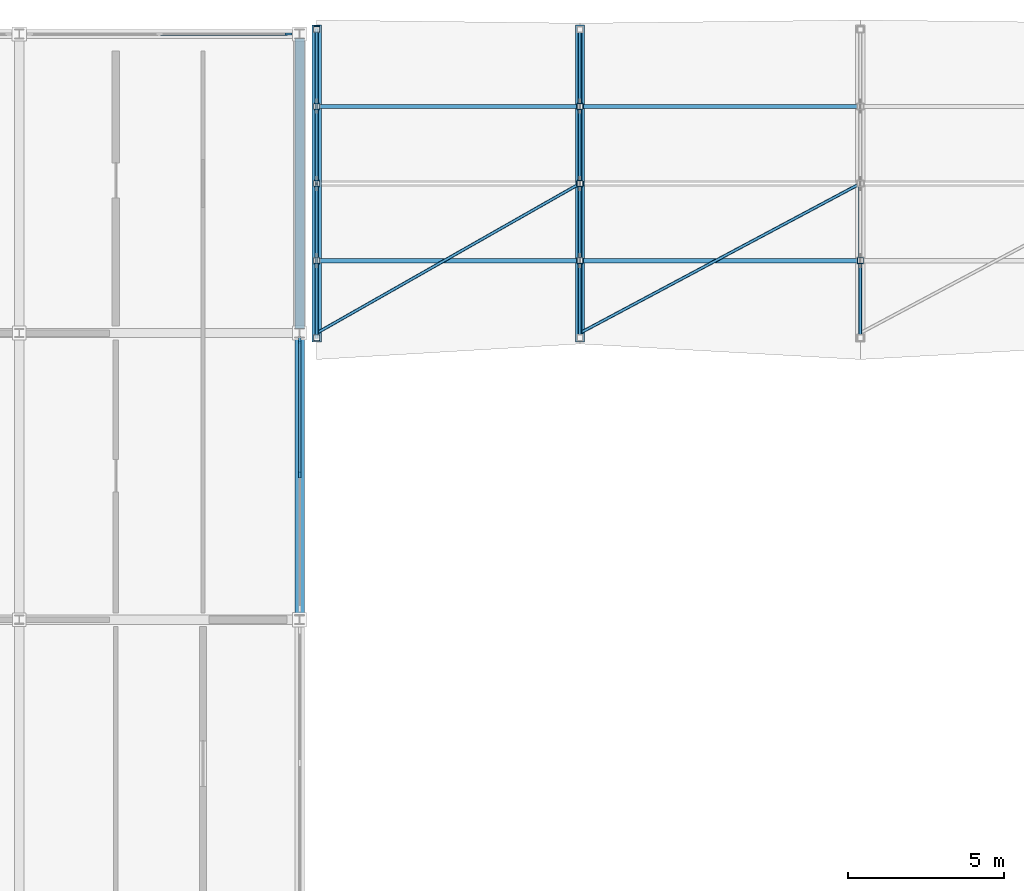
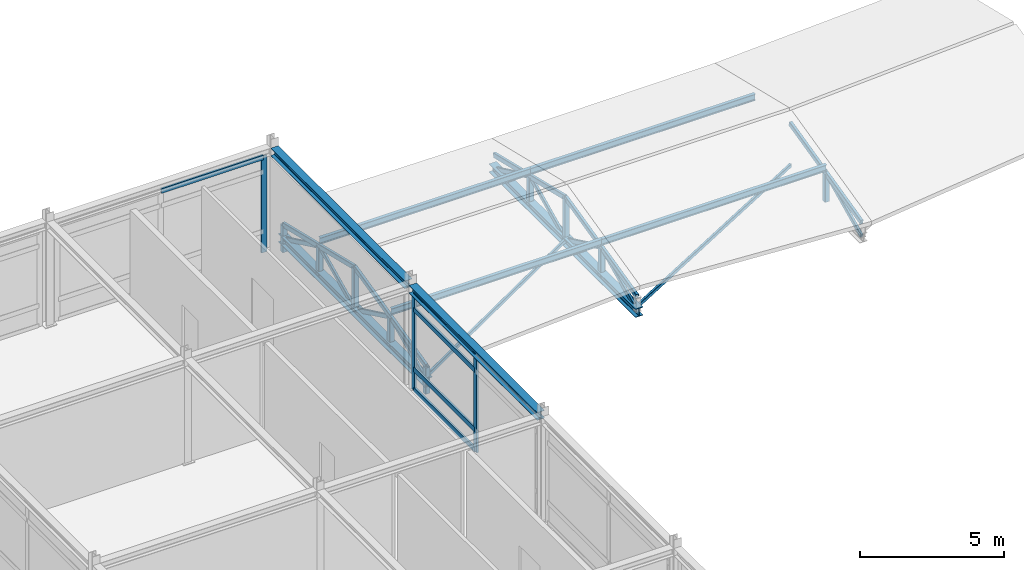
# One storey, part 31 of 90: 37 members, 4 beams, 2 elements without a shape of their own.
"""IFC4 building model written with IfcOpenShell, lengths in metres."""

import ifcopenshell
import ifcopenshell.guid

model = None  # the IFC model being written
_history = None  # IfcOwnerHistory: only IFC2X3 demands one
_inside = {}  # id of a spatial element -> (the spatial element, [elements in it])
_under = {}  # id of a project, library or spatial element -> (it, [spatial elements below it])
_declared = {}  # id of a project -> (the project, [libraries it declares])
_typed = {}  # id of a type object -> (the type object, [elements of that type])
_made_of = {}  # id of a material, layer set ... -> (it, [elements and type objects made of it])


def new_model(schema):
    """Start an empty IFC model of exactly this schema.

    Asked for "IFC4X3", IfcOpenShell would pick the latest addendum, in which some entities
    have other attributes; the version numbers below select the first issue.
    IFC2X3 requires an IfcOwnerHistory on every rooted entity: one is made here for all.
    """
    global model, _history
    if schema == "IFC4X3":
        model = ifcopenshell.file(schema_version=(4, 3, 0, 0))
    else:
        model = ifcopenshell.file(schema=schema)
    _inside.clear()
    _under.clear()
    _declared.clear()
    _typed.clear()
    _made_of.clear()
    _history = None
    if model.schema == "IFC2X3":
        org = make("IfcOrganization", Name="unknown")
        user = make(
            "IfcPersonAndOrganization",
            ThePerson=make("IfcPerson", FamilyName="unknown"),
            TheOrganization=org,
        )
        app = make(
            "IfcApplication",
            ApplicationDeveloper=org,
            Version="unknown",
            ApplicationFullName="unknown",
            ApplicationIdentifier="unknown",
        )
        _history = make(
            "IfcOwnerHistory",
            OwningUser=user,
            OwningApplication=app,
            ChangeAction="ADDED",
            CreationDate=0,
        )
    return model


def make(cls, **values):
    """One entity of the class cls with the attributes given. An attribute that is None is left unset."""
    return model.create_entity(
        cls, **{name: value for name, value in values.items() if value is not None}
    )


def rooted(cls, **values):
    """An entity with a GlobalId (a new one), such as an element, a storey or a relation."""
    return make(cls, GlobalId=ifcopenshell.guid.new(), OwnerHistory=_history, **values)


def si_unit(unit_type, name, prefix=None):
    """IfcSIUnit, for example si_unit("LENGTHUNIT", "METRE", prefix="MILLI")."""
    return make("IfcSIUnit", UnitType=unit_type, Prefix=prefix, Name=name)


def assignment(units):
    """IfcUnitAssignment: the units of a project."""
    return None if units is None else make("IfcUnitAssignment", Units=units)


def point(xyz):
    """IfcCartesianPoint."""
    return None if xyz is None else make("IfcCartesianPoint", Coordinates=xyz)


def direction(xyz):
    """IfcDirection."""
    return None if xyz is None else make("IfcDirection", DirectionRatios=xyz)


def frame(location, z_axis=None, x_axis=None):
    """IfcAxis2Placement3D, a coordinate frame: its origin and axes. An axis left out is left unset."""
    return make(
        "IfcAxis2Placement3D",
        Location=point(location),
        Axis=direction(z_axis),
        RefDirection=direction(x_axis),
    )


def frame_2d(location, x_axis=None):
    """IfcAxis2Placement2D, a coordinate frame in the plane: its origin and x axis."""
    return make(
        "IfcAxis2Placement2D", Location=point(location), RefDirection=direction(x_axis)
    )


def origin():
    """The frame at (0, 0, 0) with its axes left unset."""
    return frame((0.0, 0.0, 0.0))


def origin_2d():
    """The frame at (0, 0) in the plane with its x axis left unset."""
    return frame_2d((0.0, 0.0))


def place(relative_to, where):
    """IfcLocalPlacement: puts the frame where relative to a parent placement (None: the world)."""
    return make(
        "IfcLocalPlacement", PlacementRelTo=relative_to, RelativePlacement=where
    )


def context(
    kind, dimensions, precision=None, world=None, true_north=None, identifier=None
):
    """IfcGeometricRepresentationContext, for example the 3D "Model" context."""
    return make(
        "IfcGeometricRepresentationContext",
        ContextIdentifier=identifier,
        ContextType=kind,
        CoordinateSpaceDimension=dimensions,
        Precision=precision,
        WorldCoordinateSystem=world,
        TrueNorth=true_north,
    )


def subcontext(parent, identifier, kind, view, scale=None):
    """IfcGeometricRepresentationSubContext, for example "Body" below "Model"."""
    return make(
        "IfcGeometricRepresentationSubContext",
        ContextIdentifier=identifier,
        ContextType=kind,
        ParentContext=parent,
        TargetScale=scale,
        TargetView=view,
    )


def project(units=None, contexts=None):
    """IfcProject with its units and contexts."""
    return rooted(
        "IfcProject",
        Name="project",
        RepresentationContexts=contexts,
        UnitsInContext=assignment(units),
    )


def spatial(cls, under=None, at=None, **own):
    """A site, building, storey or space (cls), placed at a placement, below another one or the project."""
    s = rooted(cls, ObjectPlacement=at, **own)
    if under is not None:
        _under.setdefault(under.id(), (under, []))[1].append(s)
    return s


def profile(cls, at=None, kind="AREA", **sizes):
    """A parametric profile (cls). Its sizes go by their IFC names, for example OverallWidth=200.0."""
    return make(cls, ProfileType=kind, Position=at, **sizes)


def rectangle(**sizes):
    """IfcRectangleProfileDef."""
    return profile("IfcRectangleProfileDef", **sizes)


def hollow_rectangle(**sizes):
    """IfcRectangleHollowProfileDef."""
    return profile("IfcRectangleHollowProfileDef", **sizes)


def i_section(**sizes):
    """IfcIShapeProfileDef."""
    return profile("IfcIShapeProfileDef", **sizes)


def extrude(swept, where, along, depth):
    """IfcExtrudedAreaSolid: the profile swept, set in the frame where, extruded along a direction by depth."""
    return make(
        "IfcExtrudedAreaSolid",
        SweptArea=swept,
        Position=where,
        ExtrudedDirection=direction(along),
        Depth=depth,
    )


def shape(context_of_items, identifier, shape_type, items):
    """IfcShapeRepresentation: the items that make up one representation, for example the "Body"."""
    return make(
        "IfcShapeRepresentation",
        ContextOfItems=context_of_items,
        RepresentationIdentifier=identifier,
        RepresentationType=shape_type,
        Items=items,
    )


def material(Name=None, Category=None):
    """IfcMaterial."""
    return make("IfcMaterial", Name=Name, Category=Category)


def material_profile(
    of_material, cross_section, Name=None, Category=None, Priority=None
):
    """IfcMaterialProfile: a cross section and its material."""
    return make(
        "IfcMaterialProfile",
        Name=Name,
        Material=of_material,
        Profile=cross_section,
        Priority=Priority,
        Category=Category,
    )


def profile_set(profiles, Name=None, composite=None):
    """IfcMaterialProfileSet."""
    return make(
        "IfcMaterialProfileSet",
        Name=Name,
        MaterialProfiles=profiles,
        CompositeProfile=composite,
    )


def made_of(thing, what):
    """Note that an element or type object is made of a material, layer set ...; save() writes the relation."""
    if what is not None:
        _made_of.setdefault(what.id(), (what, []))[1].append(thing)
    return thing


def type_object(cls, material=None, **own):
    """A type object (cls), such as IfcWallType, which elements share."""
    return made_of(rooted(cls, **own), material)


def element(
    cls,
    number,
    at=None,
    inside=None,
    cuts=None,
    type_object=None,
    material=None,
    context=None,
    identifier="Body",
    shape_type=None,
    held_by="IfcProductDefinitionShape",
    body=None,
    shapes=None,
    **own,
):
    """One element of the class cls, such as IfcWall. Its Tag is "e" and its number.

    at: its placement. inside: the storey or other place that contains it. cuts: it is an
    opening in that element (IfcRelVoidsElement). A single representation is given by context,
    identifier, shape_type and body (its items); several are given by shapes. held_by: the class
    of the entity that holds the representations. save() writes the other relations.
    """
    e = rooted(cls, Tag="e%d" % number, ObjectPlacement=at, **own)
    if body is not None:
        shapes = [shape(context, identifier, shape_type, body)]
    if shapes is not None:
        e.Representation = make(held_by, Representations=shapes)
    if inside is not None:
        _inside.setdefault(inside.id(), (inside, []))[1].append(e)
    if cuts is not None:
        rooted(
            "IfcRelVoidsElement", RelatingBuildingElement=cuts, RelatedOpeningElement=e
        )
    if type_object is not None:
        _typed.setdefault(type_object.id(), (type_object, []))[1].append(e)
    return made_of(e, material)


def aggregate(whole, parts):
    """IfcRelAggregates: a whole, such as a stair, and the parts it consists of."""
    return rooted("IfcRelAggregates", RelatingObject=whole, RelatedObjects=parts)


def save(model, path):
    """Write the relations noted so far, then the file.

    IfcRelAggregates (storeys below a building ...), IfcRelContainedInSpatialStructure (elements
    in a storey), IfcRelDefinesByType, IfcRelAssociatesMaterial and IfcRelDeclares: one each for
    every whole, place, type object, material and project.
    """
    for whole, parts in _under.values():
        aggregate(whole, parts)
    for where, things in _inside.values():
        rooted(
            "IfcRelContainedInSpatialStructure",
            RelatedElements=things,
            RelatingStructure=where,
        )
    for kind, things in _typed.values():
        rooted("IfcRelDefinesByType", RelatedObjects=things, RelatingType=kind)
    for what, things in _made_of.values():
        rooted("IfcRelAssociatesMaterial", RelatedObjects=things, RelatingMaterial=what)
    for by, libraries in _declared.values():
        rooted("IfcRelDeclares", RelatingContext=by, RelatedDefinitions=libraries)
    model.write(path)


model = new_model("IFC4")

# Units and contexts
model_context = context("Model", 3, precision=1e-05, world=origin(), true_north=direction((0.0, 1.0)))
body_context = subcontext(model_context, "Body", "Model", "MODEL_VIEW")
ifc_project = project(units=[si_unit("LENGTHUNIT", "METRE"), si_unit("AREAUNIT", "SQUARE_METRE"), si_unit("VOLUMEUNIT", "CUBIC_METRE"), si_unit("PLANEANGLEUNIT", "RADIAN"), si_unit("MASSUNIT", "GRAM", prefix="KILO")], contexts=[model_context])

# Site, building, storey
site_placement = place(None, origin())
site = spatial("IfcSite", under=ifc_project, at=site_placement, CompositionType="ELEMENT")
building_placement = place(site_placement, origin())
building = spatial("IfcBuilding", under=site, at=building_placement, Name="Bozkorgan Art Gallery", CompositionType="ELEMENT")
storey_placement = place(building_placement, frame((0.0, 0.0, 5.39990234375)))
storey = spatial("IfcBuildingStorey", under=building, at=storey_placement, Name="L01", CompositionType="ELEMENT", Elevation=5.39990234375)

# Beams
ifc_material_1 = material(Name="Steel S355J2", Category="steel")
ifc_material_profile_1 = material_profile(ifc_material_1, i_section(OverallWidth=0.300048828125, OverallDepth=0.330078125, WebThickness=0.009521484375, FlangeThickness=0.0166015625, FilletRadius=0.027099609375, at=origin_2d()), Name="HEA 340")
ifc_profile_set_1 = profile_set([ifc_material_profile_1], Name="Steel S355J2")
beam_type_1 = type_object("IfcBeamType", Name="BEAM-BM-37", PredefinedType="BEAM", material=ifc_profile_set_1)
beam_1_placement = place(storey_placement, frame((20.0, 93.75, 4.275146484375), z_axis=(0.0, 1.0, 0.0), x_axis=(-1.0, 0.0, 0.0)))
element("IfcBeam", 1, at=beam_1_placement, inside=storey, type_object=beam_type_1, Name="V2 L01 beam Y (20, 93.6-102.8)", PredefinedType="BEAM", context=body_context, shape_type="SweptSolid", body=[
    extrude(i_section(OverallWidth=0.300048828125, OverallDepth=0.330078125, WebThickness=0.009521484375, FlangeThickness=0.0166015625, FilletRadius=0.027099609375, at=origin_2d()), origin(), (0.0, 0.0, 1.0), 8.89990234375),
])
beam_2_placement = place(storey_placement, frame((20.0, 102.949951171875, 4.275146484375), z_axis=(0.0, 1.0, 0.0), x_axis=(-1.0, 0.0, 0.0)))
element("IfcBeam", 2, at=beam_2_placement, inside=storey, type_object=beam_type_1, Name="V2 L01 beam Y (20, 102.8-112.4)", PredefinedType="BEAM", context=body_context, shape_type="SweptSolid", body=[
    extrude(i_section(OverallWidth=0.300048828125, OverallDepth=0.330078125, WebThickness=0.009521484375, FlangeThickness=0.0166015625, FilletRadius=0.027099609375, at=origin_2d()), origin(), (0.0, 0.0, 1.0), 9.300048828125),
])
ifc_material_profile_2 = material_profile(ifc_material_1, i_section(OverallWidth=0.300048828125, OverallDepth=0.360107421875, WebThickness=0.012451171875, FlangeThickness=0.0224609375, FilletRadius=0.027099609375, at=origin_2d()), Name="HEB 360")
ifc_profile_set_2 = profile_set([ifc_material_profile_2], Name="Steel S355J2")
beam_type_2 = type_object("IfcBeamType", Name="BEAM-TB-47", PredefinedType="BEAM", material=ifc_profile_set_2)
for number, where, z_axis, x_axis, name in (
    (3, (20.550048828125, 102.510009765625, 0.18017578125), (0.0, 1.0, 0.0), (-1.0, 0.0, 0.0), "ROOF-V2-NORTH roof truss 1 bottom chord"),
    (4, (29.0, 102.510009765625, 0.18017578125), (0.0, 1.0, 0.0), (-1.0, 0.0, 0.0), "ROOF-V2-NORTH roof truss 2 bottom chord"),
):
    element("IfcBeam", number, at=place(storey_placement, frame(where, z_axis=z_axis, x_axis=x_axis)), inside=storey, type_object=beam_type_2, Name=name, PredefinedType="BEAM", context=body_context, shape_type="SweptSolid", body=[
        extrude(i_section(OverallWidth=0.300048828125, OverallDepth=0.360107421875, WebThickness=0.012451171875, FlangeThickness=0.0224609375, FilletRadius=0.027099609375, at=origin_2d()), origin(), (0.0, 0.0, 1.0), 10.179931640625),
    ])

# Curtain wall, member
ifc_material_2 = material(Name="Anodised Bronze Aluminium", Category="aluminium")
curtain_wall_type_1 = type_object("IfcCurtainWallType", Name="CW-CW-74", PredefinedType="NOTDEFINED", material=ifc_material_2)
curtain_wall_1_placement = place(storey_placement, origin())
curtain_wall_1 = element("IfcCurtainWall", 5, at=curtain_wall_1_placement, inside=storey, type_object=curtain_wall_type_1, Name="L01 unitised curtain wall CW-V2-L01-1N-04", PredefinedType="NOTDEFINED")
ifc_material_profile_3 = material_profile(ifc_material_2, rectangle(XDim=0.074951171875, YDim=0.219970703125, at=origin_2d()), Name="ALU MULLION 75x220")
ifc_profile_set_3 = profile_set([ifc_material_profile_3], Name="Anodised Bronze Aluminium")
member_type_1 = type_object("IfcMemberType", Name="CWM-02", PredefinedType="MULLION", material=ifc_profile_set_3)
member_1_placement = place(storey_placement, frame((19.6474609375, 112.39990234375, 0.02001953125), z_axis=(0.0, 0.0, 1.0), x_axis=(0.0, 1.0, 0.0)))
member_1 = element("IfcMember", 6, at=member_1_placement, type_object=member_type_1, Name="CW-74 mullion 3", PredefinedType="MULLION", context=body_context, shape_type="SweptSolid", body=[
    extrude(rectangle(XDim=0.074951171875, YDim=0.219970703125, at=origin_2d()), origin(), (0.0, 0.0, 1.0), 4.0751953125),
])

# Curtain wall, members
curtain_wall_type_2 = type_object("IfcCurtainWallType", Name="CW-CW-36", PredefinedType="NOTDEFINED", material=ifc_material_2)
curtain_wall_2_placement = place(storey_placement, origin())
curtain_wall_2 = element("IfcCurtainWall", 7, at=curtain_wall_2_placement, inside=storey, type_object=curtain_wall_type_2, Name="L01 unitised curtain wall CW-V2-L01-1E-14", PredefinedType="NOTDEFINED")
member_2_placement = place(storey_placement, frame((20.0, 98.264892578125, 0.02001953125), z_axis=(0.0, 0.0, 1.0), x_axis=(-1.0, 0.0, 0.0)))
member_2 = element("IfcMember", 8, at=member_2_placement, type_object=member_type_1, Name="CW-36 mullion 2", PredefinedType="MULLION", context=body_context, shape_type="SweptSolid", body=[
    extrude(rectangle(XDim=0.074951171875, YDim=0.219970703125, at=origin_2d()), origin(), (0.0, 0.0, 1.0), 4.0751953125),
])
member_3_placement = place(storey_placement, frame((20.0, 102.577392578125, 0.02001953125), z_axis=(0.0, 0.0, 1.0), x_axis=(-1.0, 0.0, 0.0)))
member_3 = element("IfcMember", 9, at=member_3_placement, type_object=member_type_1, Name="CW-36 mullion 3", PredefinedType="MULLION", context=body_context, shape_type="SweptSolid", body=[
    extrude(rectangle(XDim=0.074951171875, YDim=0.219970703125, at=origin_2d()), origin(), (0.0, 0.0, 1.0), 4.0751953125),
])

# Member
ifc_material_profile_4 = material_profile(ifc_material_2, rectangle(XDim=0.080078125, YDim=0.199951171875, at=origin_2d()), Name="ALU TRANSOM 80x200")
ifc_profile_set_4 = profile_set([ifc_material_profile_4], Name="Anodised Bronze Aluminium")
member_type_2 = type_object("IfcMemberType", Name="CWT-03", PredefinedType="USERDEFINED", material=ifc_profile_set_4)
member_4_placement = place(storey_placement, frame((15.53759765625, 112.39990234375, 4.05517578125), z_axis=(1.0, 0.0, 0.0), x_axis=(0.0, 1.0, 0.0)))
member_4 = element("IfcMember", 10, at=member_4_placement, type_object=member_type_2, Name="CW-74 transom 2.4", ObjectType="TRANSOM", PredefinedType="USERDEFINED", context=body_context, shape_type="SweptSolid", body=[
    extrude(rectangle(XDim=0.080078125, YDim=0.199951171875, at=origin_2d()), origin(), (0.0, 0.0, 1.0), 4.072509765625),
])

aggregate(curtain_wall_1, [member_1, member_4])

member_5_placement = place(storey_placement, frame((20.0, 98.302490234375, 0.06005859375), z_axis=(0.0, 1.0, 0.0), x_axis=(-1.0, 0.0, 0.0)))
member_5 = element("IfcMember", 11, at=member_5_placement, type_object=member_type_2, Name="CW-36 transom 2.1", ObjectType="TRANSOM", PredefinedType="USERDEFINED", context=body_context, shape_type="SweptSolid", body=[
    extrude(rectangle(XDim=0.080078125, YDim=0.199951171875, at=origin_2d()), origin(), (0.0, 0.0, 1.0), 4.237548828125),
])

member_6_placement = place(storey_placement, frame((20.0, 98.302490234375, 0.920166015625), z_axis=(0.0, 1.0, 0.0), x_axis=(-1.0, 0.0, 0.0)))
member_6 = element("IfcMember", 12, at=member_6_placement, type_object=member_type_2, Name="CW-36 transom 2.2", ObjectType="TRANSOM", PredefinedType="USERDEFINED", context=body_context, shape_type="SweptSolid", body=[
    extrude(rectangle(XDim=0.080078125, YDim=0.199951171875, at=origin_2d()), origin(), (0.0, 0.0, 1.0), 4.237548828125),
])

member_7_placement = place(storey_placement, frame((20.0, 98.302490234375, 3.445068359375), z_axis=(0.0, 1.0, 0.0), x_axis=(-1.0, 0.0, 0.0)))
member_7 = element("IfcMember", 13, at=member_7_placement, type_object=member_type_2, Name="CW-36 transom 2.3", ObjectType="TRANSOM", PredefinedType="USERDEFINED", context=body_context, shape_type="SweptSolid", body=[
    extrude(rectangle(XDim=0.080078125, YDim=0.199951171875, at=origin_2d()), origin(), (0.0, 0.0, 1.0), 4.237548828125),
])

member_8_placement = place(storey_placement, frame((20.0, 98.302490234375, 4.05517578125), z_axis=(0.0, 1.0, 0.0), x_axis=(-1.0, 0.0, 0.0)))
member_8 = element("IfcMember", 14, at=member_8_placement, type_object=member_type_2, Name="CW-36 transom 2.4", ObjectType="TRANSOM", PredefinedType="USERDEFINED", context=body_context, shape_type="SweptSolid", body=[
    extrude(rectangle(XDim=0.080078125, YDim=0.199951171875, at=origin_2d()), origin(), (0.0, 0.0, 1.0), 4.237548828125),
])

aggregate(curtain_wall_2, [member_2, member_3, member_5, member_6, member_7, member_8])

# Members
ifc_material_profile_5 = material_profile(ifc_material_1, i_section(OverallWidth=0.135009765625, OverallDepth=0.27001953125, WebThickness=0.006591796875, FlangeThickness=0.01025390625, FilletRadius=0.014892578125, at=origin_2d()), Name="IPE 270")
ifc_profile_set_5 = profile_set([ifc_material_profile_5], Name="Steel S355J2")
member_type_3 = type_object("IfcMemberType", Name="MEMBER-PR-57", PredefinedType="PURLIN", material=ifc_profile_set_5)
for number, where, z_axis, x_axis, name in (
    (15, (20.550048828125, 105.125, 1.598876953125), (1.0, 0.0, 0.0), (0.0, 1.0, 0.0), "ROOF-V2-NORTH roof purlin 1S"),
    (16, (20.550048828125, 110.074951171875, 1.598876953125), (1.0, 0.0, 0.0), (0.0, 1.0, 0.0), "ROOF-V2-NORTH roof purlin 1N"),
):
    element("IfcMember", number, at=place(storey_placement, frame(where, z_axis=z_axis, x_axis=x_axis)), inside=storey, type_object=member_type_3, Name=name, PredefinedType="PURLIN", context=body_context, shape_type="SweptSolid", body=[
        extrude(i_section(OverallWidth=0.135009765625, OverallDepth=0.27001953125, WebThickness=0.006591796875, FlangeThickness=0.01025390625, FilletRadius=0.014892578125, at=origin_2d()), origin(), (0.0, 0.0, 1.0), 8.449951171875),
    ])
for number, where, z_axis, x_axis, name in (
    (17, (29.0, 105.125, 1.598876953125), (1.0, 0.0, 0.0), (0.0, 1.0, 0.0), "ROOF-V2-NORTH roof purlin 2S"),
    (18, (29.0, 110.074951171875, 1.598876953125), (1.0, 0.0, 0.0), (0.0, 1.0, 0.0), "ROOF-V2-NORTH roof purlin 2N"),
):
    element("IfcMember", number, at=place(storey_placement, frame(where, z_axis=z_axis, x_axis=x_axis)), inside=storey, type_object=member_type_3, Name=name, PredefinedType="PURLIN", context=body_context, shape_type="SweptSolid", body=[
        extrude(i_section(OverallWidth=0.135009765625, OverallDepth=0.27001953125, WebThickness=0.006591796875, FlangeThickness=0.01025390625, FilletRadius=0.014892578125, at=origin_2d()), origin(), (0.0, 0.0, 1.0), 9.0),
    ])
ifc_material_profile_6 = material_profile(ifc_material_1, hollow_rectangle(XDim=0.1201171875, YDim=0.199951171875, WallThickness=0.008056640625, InnerFilletRadius=0.011962890625, OuterFilletRadius=0.02001953125, at=origin_2d()), Name="RHS 200x120x8")
ifc_profile_set_6 = profile_set([ifc_material_profile_6], Name="Steel S355J2")
member_type_4 = type_object("IfcMemberType", Name="MEMBER-TC-48", PredefinedType="CHORD", material=ifc_profile_set_6)
member_9_placement = place(storey_placement, frame((20.550048828125, 102.64990234375, 0.769775390625), z_axis=(0.0, 0.972368145084, 0.233452758447), x_axis=(-1.0, 0.0, 0.0)))
element("IfcMember", 19, at=member_9_placement, inside=storey, type_object=member_type_4, Name="ROOF-V2-NORTH roof truss 1 south top chord", PredefinedType="CHORD", context=body_context, shape_type="SweptSolid", body=[
    extrude(hollow_rectangle(XDim=0.1201171875, YDim=0.199951171875, WallThickness=0.008056640625, InnerFilletRadius=0.011962890625, OuterFilletRadius=0.02001953125, at=origin_2d()), origin(), (0.0, 0.0, 1.0), 5.0908203125),
])
member_10_placement = place(storey_placement, frame((20.550048828125, 107.60009765625, 1.958251953125), z_axis=(0.0, 0.972365531257, -0.233463645187), x_axis=(-1.0, 0.0, 0.0)))
element("IfcMember", 20, at=member_10_placement, inside=storey, type_object=member_type_4, Name="ROOF-V2-NORTH roof truss 1 north top chord", PredefinedType="CHORD", context=body_context, shape_type="SweptSolid", body=[
    extrude(hollow_rectangle(XDim=0.1201171875, YDim=0.199951171875, WallThickness=0.008056640625, InnerFilletRadius=0.011962890625, OuterFilletRadius=0.02001953125, at=origin_2d()), origin(), (0.0, 0.0, 1.0), 5.090576171875),
])
member_11_placement = place(storey_placement, frame((29.0, 102.64990234375, 0.769775390625), z_axis=(0.0, 0.972368145084, 0.233452758447), x_axis=(-1.0, 0.0, 0.0)))
element("IfcMember", 21, at=member_11_placement, inside=storey, type_object=member_type_4, Name="ROOF-V2-NORTH roof truss 2 south top chord", PredefinedType="CHORD", context=body_context, shape_type="SweptSolid", body=[
    extrude(hollow_rectangle(XDim=0.1201171875, YDim=0.199951171875, WallThickness=0.008056640625, InnerFilletRadius=0.011962890625, OuterFilletRadius=0.02001953125, at=origin_2d()), origin(), (0.0, 0.0, 1.0), 5.0908203125),
])
member_12_placement = place(storey_placement, frame((29.0, 107.60009765625, 1.958251953125), z_axis=(0.0, 0.972365531257, -0.233463645187), x_axis=(-1.0, 0.0, 0.0)))
element("IfcMember", 22, at=member_12_placement, inside=storey, type_object=member_type_4, Name="ROOF-V2-NORTH roof truss 2 north top chord", PredefinedType="CHORD", context=body_context, shape_type="SweptSolid", body=[
    extrude(hollow_rectangle(XDim=0.1201171875, YDim=0.199951171875, WallThickness=0.008056640625, InnerFilletRadius=0.011962890625, OuterFilletRadius=0.02001953125, at=origin_2d()), origin(), (0.0, 0.0, 1.0), 5.090576171875),
])
member_13_placement = place(storey_placement, frame((38.0, 102.64990234375, 0.769775390625), z_axis=(0.0, 0.972368145084, 0.233452758447), x_axis=(-1.0, 0.0, 0.0)))
element("IfcMember", 23, at=member_13_placement, inside=storey, type_object=member_type_4, Name="ROOF-V2-NORTH roof truss 3 south top chord", PredefinedType="CHORD", context=body_context, shape_type="SweptSolid", body=[
    extrude(hollow_rectangle(XDim=0.1201171875, YDim=0.199951171875, WallThickness=0.008056640625, InnerFilletRadius=0.011962890625, OuterFilletRadius=0.02001953125, at=origin_2d()), origin(), (0.0, 0.0, 1.0), 5.0908203125),
])
ifc_material_profile_7 = material_profile(ifc_material_1, hollow_rectangle(XDim=0.199951171875, YDim=0.199951171875, WallThickness=0.010009765625, InnerFilletRadius=0.014892578125, OuterFilletRadius=0.02490234375, at=origin_2d()), Name="SHS 200x200x10")
ifc_profile_set_7 = profile_set([ifc_material_profile_7], Name="Steel S355J2")
member_type_5 = type_object("IfcMemberType", Name="MEMBER-TP-32", PredefinedType="POST", material=ifc_profile_set_7)
member_14_placement = place(storey_placement, frame((20.550048828125, 102.64990234375, -0.33984375), z_axis=(0.0, 0.0, 1.0), x_axis=(1.0, 0.0, 0.0)))
element("IfcMember", 24, at=member_14_placement, inside=storey, type_object=member_type_5, Name="ROOF-V2-NORTH roof truss 1 post 0", PredefinedType="POST", context=body_context, shape_type="SweptSolid", body=[
    extrude(hollow_rectangle(XDim=0.199951171875, YDim=0.199951171875, WallThickness=0.010009765625, InnerFilletRadius=0.014892578125, OuterFilletRadius=0.02490234375, at=origin_2d()), origin(), (0.0, 0.0, 1.0), 1.109619140625),
])
member_15_placement = place(storey_placement, frame((20.550048828125, 105.125, 0.18017578125), z_axis=(0.0, 0.0, 1.0), x_axis=(1.0, 0.0, 0.0)))
element("IfcMember", 25, at=member_15_placement, inside=storey, type_object=member_type_5, Name="ROOF-V2-NORTH roof truss 1 post 1", PredefinedType="POST", context=body_context, shape_type="SweptSolid", body=[
    extrude(hollow_rectangle(XDim=0.199951171875, YDim=0.199951171875, WallThickness=0.010009765625, InnerFilletRadius=0.014892578125, OuterFilletRadius=0.02490234375, at=origin_2d()), origin(), (0.0, 0.0, 1.0), 1.183837890625),
])
member_16_placement = place(storey_placement, frame((20.550048828125, 107.60009765625, 0.18017578125), z_axis=(0.0, 0.0, 1.0), x_axis=(1.0, 0.0, 0.0)))
element("IfcMember", 26, at=member_16_placement, inside=storey, type_object=member_type_5, Name="ROOF-V2-NORTH roof truss 1 post 2", PredefinedType="POST", context=body_context, shape_type="SweptSolid", body=[
    extrude(hollow_rectangle(XDim=0.199951171875, YDim=0.199951171875, WallThickness=0.010009765625, InnerFilletRadius=0.014892578125, OuterFilletRadius=0.02490234375, at=origin_2d()), origin(), (0.0, 0.0, 1.0), 1.778076171875),
])
member_17_placement = place(storey_placement, frame((20.550048828125, 110.074951171875, 0.18017578125), z_axis=(0.0, 0.0, 1.0), x_axis=(1.0, 0.0, 0.0)))
element("IfcMember", 27, at=member_17_placement, inside=storey, type_object=member_type_5, Name="ROOF-V2-NORTH roof truss 1 post 3", PredefinedType="POST", context=body_context, shape_type="SweptSolid", body=[
    extrude(hollow_rectangle(XDim=0.199951171875, YDim=0.199951171875, WallThickness=0.010009765625, InnerFilletRadius=0.014892578125, OuterFilletRadius=0.02490234375, at=origin_2d()), origin(), (0.0, 0.0, 1.0), 1.183837890625),
])
member_18_placement = place(storey_placement, frame((20.550048828125, 112.550048828125, -0.33984375), z_axis=(0.0, 0.0, 1.0), x_axis=(1.0, 0.0, 0.0)))
element("IfcMember", 28, at=member_18_placement, inside=storey, type_object=member_type_5, Name="ROOF-V2-NORTH roof truss 1 post 4", PredefinedType="POST", context=body_context, shape_type="SweptSolid", body=[
    extrude(hollow_rectangle(XDim=0.199951171875, YDim=0.199951171875, WallThickness=0.010009765625, InnerFilletRadius=0.014892578125, OuterFilletRadius=0.02490234375, at=origin_2d()), origin(), (0.0, 0.0, 1.0), 1.109619140625),
])
member_19_placement = place(storey_placement, frame((29.0, 105.125, 0.18017578125), z_axis=(0.0, 0.0, 1.0), x_axis=(1.0, 0.0, 0.0)))
element("IfcMember", 29, at=member_19_placement, inside=storey, type_object=member_type_5, Name="ROOF-V2-NORTH roof truss 2 post 1", PredefinedType="POST", context=body_context, shape_type="SweptSolid", body=[
    extrude(hollow_rectangle(XDim=0.199951171875, YDim=0.199951171875, WallThickness=0.010009765625, InnerFilletRadius=0.014892578125, OuterFilletRadius=0.02490234375, at=origin_2d()), origin(), (0.0, 0.0, 1.0), 1.183837890625),
])
member_20_placement = place(storey_placement, frame((29.0, 107.60009765625, 0.18017578125), z_axis=(0.0, 0.0, 1.0), x_axis=(1.0, 0.0, 0.0)))
element("IfcMember", 30, at=member_20_placement, inside=storey, type_object=member_type_5, Name="ROOF-V2-NORTH roof truss 2 post 2", PredefinedType="POST", context=body_context, shape_type="SweptSolid", body=[
    extrude(hollow_rectangle(XDim=0.199951171875, YDim=0.199951171875, WallThickness=0.010009765625, InnerFilletRadius=0.014892578125, OuterFilletRadius=0.02490234375, at=origin_2d()), origin(), (0.0, 0.0, 1.0), 1.778076171875),
])
for number, where, z_axis, x_axis, name in (
    (31, (29.0, 110.074951171875, 0.18017578125), (0.0, 0.0, 1.0), (1.0, 0.0, 0.0), "ROOF-V2-NORTH roof truss 2 post 3"),
    (32, (38.0, 105.125, 0.18017578125), (0.0, 0.0, 1.0), (1.0, 0.0, 0.0), "ROOF-V2-NORTH roof truss 3 post 1"),
):
    element("IfcMember", number, at=place(storey_placement, frame(where, z_axis=z_axis, x_axis=x_axis)), inside=storey, type_object=member_type_5, Name=name, PredefinedType="POST", context=body_context, shape_type="SweptSolid", body=[
        extrude(hollow_rectangle(XDim=0.199951171875, YDim=0.199951171875, WallThickness=0.010009765625, InnerFilletRadius=0.014892578125, OuterFilletRadius=0.02490234375, at=origin_2d()), origin(), (0.0, 0.0, 1.0), 1.183837890625),
    ])
ifc_material_profile_8 = material_profile(ifc_material_1, hollow_rectangle(XDim=0.10009765625, YDim=0.179931640625, WallThickness=0.008056640625, InnerFilletRadius=0.011962890625, OuterFilletRadius=0.02001953125, at=origin_2d()), Name="RHS 180x100x8")
ifc_profile_set_8 = profile_set([ifc_material_profile_8], Name="Steel S355J2")
member_type_6 = type_object("IfcMemberType", Name="MEMBER-TW-22", PredefinedType="BRACE", material=ifc_profile_set_8)
for number, where, z_axis, x_axis, name in (
    (33, (20.550048828125, 102.64990234375, 0.18017578125), (0.0, 0.90212066823, 0.4314838351), (-1.0, 0.0, 0.0), "ROOF-V2-NORTH roof truss 1 diagonal 1"),
    (34, (20.550048828125, 105.125, 1.364013671875), (0.0, 0.90212066823, -0.4314838351), (-1.0, 0.0, 0.0), "ROOF-V2-NORTH roof truss 1 diagonal 2"),
):
    element("IfcMember", number, at=place(storey_placement, frame(where, z_axis=z_axis, x_axis=x_axis)), inside=storey, type_object=member_type_6, Name=name, PredefinedType="BRACE", context=body_context, shape_type="SweptSolid", body=[
        extrude(hollow_rectangle(XDim=0.10009765625, YDim=0.179931640625, WallThickness=0.008056640625, InnerFilletRadius=0.011962890625, OuterFilletRadius=0.02001953125, at=origin_2d()), origin(), (0.0, 0.0, 1.0), 2.74365234375),
    ])
member_21_placement = place(storey_placement, frame((20.550048828125, 107.60009765625, 0.18017578125), z_axis=(0.0, 0.902104099329, 0.431518474662), x_axis=(-1.0, 0.0, 0.0)))
element("IfcMember", 35, at=member_21_placement, inside=storey, type_object=member_type_6, Name="ROOF-V2-NORTH roof truss 1 diagonal 3", PredefinedType="BRACE", context=body_context, shape_type="SweptSolid", body=[
    extrude(hollow_rectangle(XDim=0.10009765625, YDim=0.179931640625, WallThickness=0.008056640625, InnerFilletRadius=0.011962890625, OuterFilletRadius=0.02001953125, at=origin_2d()), origin(), (0.0, 0.0, 1.0), 2.743408203125),
])
for number, where, z_axis, x_axis, name in (
    (36, (20.550048828125, 110.074951171875, 1.364013671875), (0.0, 0.90212066823, -0.4314838351), (-1.0, 0.0, 0.0), "ROOF-V2-NORTH roof truss 1 diagonal 4"),
    (37, (29.0, 102.64990234375, 0.18017578125), (0.0, 0.90212066823, 0.4314838351), (-1.0, 0.0, 0.0), "ROOF-V2-NORTH roof truss 2 diagonal 1"),
    (38, (29.0, 105.125, 1.364013671875), (0.0, 0.90212066823, -0.4314838351), (-1.0, 0.0, 0.0), "ROOF-V2-NORTH roof truss 2 diagonal 2"),
):
    element("IfcMember", number, at=place(storey_placement, frame(where, z_axis=z_axis, x_axis=x_axis)), inside=storey, type_object=member_type_6, Name=name, PredefinedType="BRACE", context=body_context, shape_type="SweptSolid", body=[
        extrude(hollow_rectangle(XDim=0.10009765625, YDim=0.179931640625, WallThickness=0.008056640625, InnerFilletRadius=0.011962890625, OuterFilletRadius=0.02001953125, at=origin_2d()), origin(), (0.0, 0.0, 1.0), 2.74365234375),
    ])
member_22_placement = place(storey_placement, frame((29.0, 107.60009765625, 0.18017578125), z_axis=(0.0, 0.902104099329, 0.431518474662), x_axis=(-1.0, 0.0, 0.0)))
element("IfcMember", 39, at=member_22_placement, inside=storey, type_object=member_type_6, Name="ROOF-V2-NORTH roof truss 2 diagonal 3", PredefinedType="BRACE", context=body_context, shape_type="SweptSolid", body=[
    extrude(hollow_rectangle(XDim=0.10009765625, YDim=0.179931640625, WallThickness=0.008056640625, InnerFilletRadius=0.011962890625, OuterFilletRadius=0.02001953125, at=origin_2d()), origin(), (0.0, 0.0, 1.0), 2.743408203125),
])
for number, where, z_axis, x_axis, name in (
    (40, (29.0, 110.074951171875, 1.364013671875), (0.0, 0.90212066823, -0.4314838351), (-1.0, 0.0, 0.0), "ROOF-V2-NORTH roof truss 2 diagonal 4"),
    (41, (38.0, 102.64990234375, 0.18017578125), (0.0, 0.90212066823, 0.4314838351), (-1.0, 0.0, 0.0), "ROOF-V2-NORTH roof truss 3 diagonal 1"),
):
    element("IfcMember", number, at=place(storey_placement, frame(where, z_axis=z_axis, x_axis=x_axis)), inside=storey, type_object=member_type_6, Name=name, PredefinedType="BRACE", context=body_context, shape_type="SweptSolid", body=[
        extrude(hollow_rectangle(XDim=0.10009765625, YDim=0.179931640625, WallThickness=0.008056640625, InnerFilletRadius=0.011962890625, OuterFilletRadius=0.02001953125, at=origin_2d()), origin(), (0.0, 0.0, 1.0), 2.74365234375),
    ])
ifc_material_profile_9 = material_profile(ifc_material_1, hollow_rectangle(XDim=0.10009765625, YDim=0.14990234375, WallThickness=0.008056640625, InnerFilletRadius=0.011962890625, OuterFilletRadius=0.02001953125, at=origin_2d()), Name="RHS 150x100x8")
ifc_profile_set_9 = profile_set([ifc_material_profile_9], Name="Steel S355J2")
member_type_7 = type_object("IfcMemberType", Name="MEMBER-WB-10", PredefinedType="BRACE", material=ifc_profile_set_9)
member_23_placement = place(storey_placement, frame((20.550048828125, 102.800048828125, 0.18017578125), z_axis=(0.869503393921, 0.493926966221, 0.0), x_axis=(-0.493926966221, 0.869503393921, 0.0)))
element("IfcMember", 42, at=member_23_placement, inside=storey, type_object=member_type_7, Name="ROOF-V2-NORTH roof diaphragm wind brace 1", PredefinedType="BRACE", context=body_context, shape_type="SweptSolid", body=[
    extrude(hollow_rectangle(XDim=0.10009765625, YDim=0.14990234375, WallThickness=0.008056640625, InnerFilletRadius=0.011962890625, OuterFilletRadius=0.02001953125, at=origin_2d()), origin(), (0.0, 0.0, 1.0), 9.718017578125),
])
member_24_placement = place(storey_placement, frame((29.0, 102.800048828125, 0.18017578125), z_axis=(0.882350953462, 0.47059196224, 0.0), x_axis=(-0.47059196224, 0.882350953462, 0.0)))
element("IfcMember", 43, at=member_24_placement, inside=storey, type_object=member_type_7, Name="ROOF-V2-NORTH roof diaphragm wind brace 2", PredefinedType="BRACE", context=body_context, shape_type="SweptSolid", body=[
    extrude(hollow_rectangle(XDim=0.10009765625, YDim=0.14990234375, WallThickness=0.008056640625, InnerFilletRadius=0.011962890625, OuterFilletRadius=0.02001953125, at=origin_2d()), origin(), (0.0, 0.0, 1.0), 10.199951171875),
])

save(model, "model.ifc")
